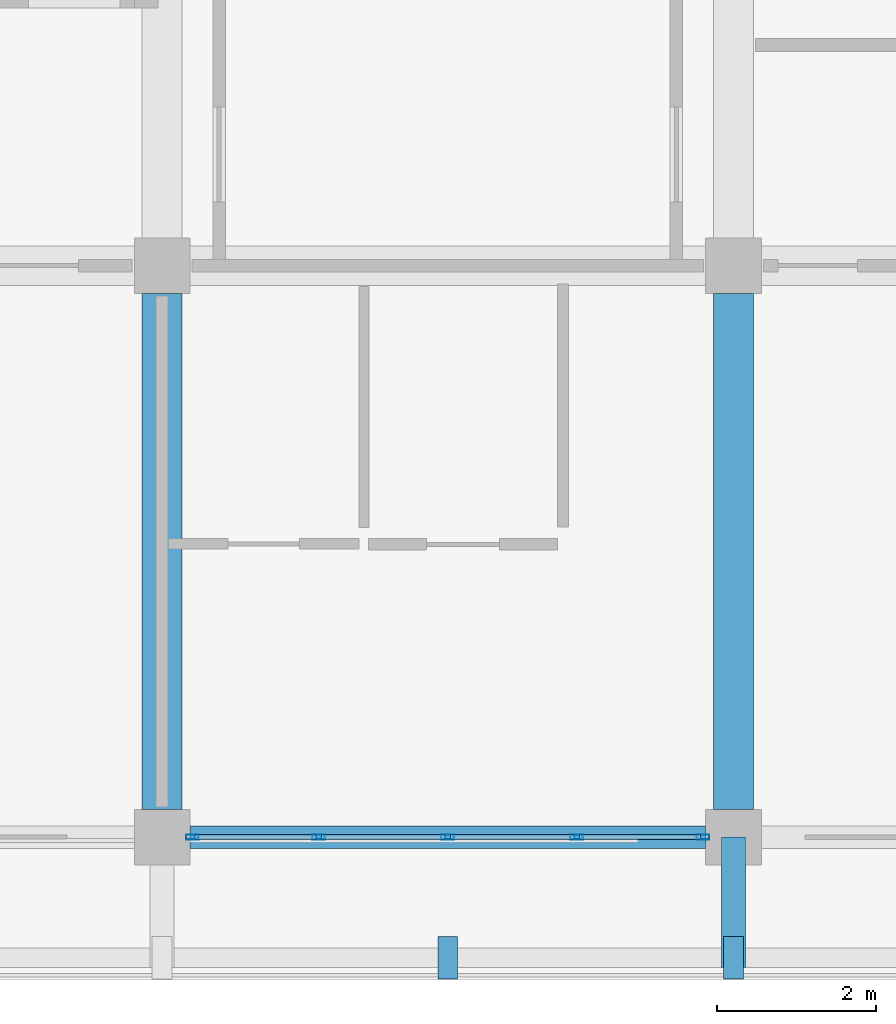
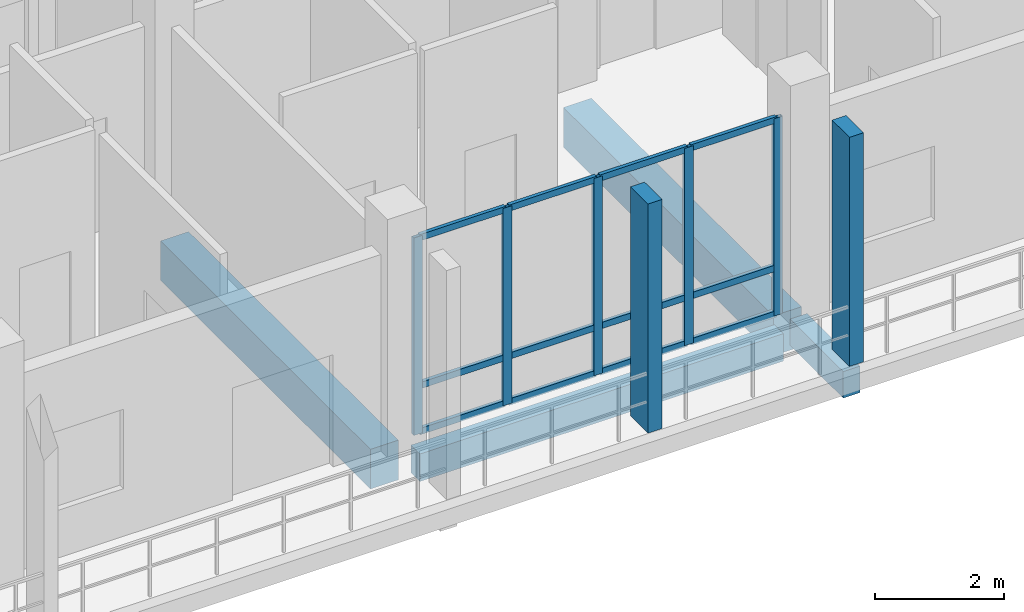
# One storey, part 17 of 110: 19 members, 4 beams, 1 element without a shape of its own.
"""IFC4 building model written with IfcOpenShell, lengths in metres."""

from ifc_helpers import new_model, si_unit, direction, frame, origin, origin_2d, place, context, subcontext, project, spatial, rectangle, hollow_rectangle, extrude, material, material_profile, profile_set, type_object, element, aggregate, save


model = new_model("IFC4")

# Units and contexts
model_context = context("Model", 3, precision=1e-05, world=origin(), true_north=direction((0.0, 1.0)))
body_context = subcontext(model_context, "Body", "Model", "MODEL_VIEW")
ifc_project = project(units=[si_unit("LENGTHUNIT", "METRE"), si_unit("AREAUNIT", "SQUARE_METRE"), si_unit("VOLUMEUNIT", "CUBIC_METRE"), si_unit("PLANEANGLEUNIT", "RADIAN"), si_unit("MASSUNIT", "GRAM", prefix="KILO")], contexts=[model_context])

# Site, building, storey
site_placement = place(None, origin())
site = spatial("IfcSite", under=ifc_project, at=site_placement, CompositionType="ELEMENT")
building_placement = place(site_placement, origin())
building = spatial("IfcBuilding", under=site, at=building_placement, Name="Suanplinth Sawtooth Commons", CompositionType="ELEMENT")
storey_placement = place(building_placement, frame((0.0, 0.0, 4.5)))
storey = spatial("IfcBuildingStorey", under=building, at=storey_placement, Name="L01", CompositionType="ELEMENT", Elevation=4.5)

# Beams
ifc_material_1 = material(Name="Concrete C40/50", Category="concrete")
ifc_material_profile_1 = material_profile(ifc_material_1, rectangle(XDim=0.5, YDim=0.75, at=origin_2d()), Name="RC-GDR 500x750")
ifc_profile_set_1 = profile_set([ifc_material_profile_1], Name="Concrete C40/50")
beam_type_1 = type_object("IfcBeamType", Name="B-03", PredefinedType="USERDEFINED", material=ifc_profile_set_1)
for number, where, z_axis, x_axis, name in (
    (1, (36.0, 0.35009765625, -0.675048828125), (0.0, 1.0, 0.0), (-1.0, 0.0, 0.0), "BMY-L01-D-5-0"),
    (2, (43.199951171875, 0.35009765625, -0.675048828125), (0.0, 1.0, 0.0), (-1.0, 0.0, 0.0), "BMY-L01-D-6-0"),
):
    element("IfcBeam", number, at=place(storey_placement, frame(where, z_axis=z_axis, x_axis=x_axis)), inside=storey, type_object=beam_type_1, Name=name, ObjectType="GIRDER", PredefinedType="USERDEFINED", context=body_context, shape_type="SweptSolid", body=[
        extrude(rectangle(XDim=0.5, YDim=0.75, at=origin_2d()), origin(), (0.0, 0.0, 1.0), 6.5),
    ])
ifc_material_2 = material(Name="Precast concrete C40/50", Category="concrete")
ifc_material_profile_2 = material_profile(ifc_material_2, rectangle(XDim=0.300048828125, YDim=0.5, at=origin_2d()), Name="PC-BM 300x500")
ifc_profile_set_2 = profile_set([ifc_material_profile_2], Name="Precast concrete C40/50")
beam_type_2 = type_object("IfcBeamType", Name="B-07", PredefinedType="BEAM", material=ifc_profile_set_2)
beam_1_placement = place(storey_placement, frame((43.199951171875, 0.0, -0.429931640625), z_axis=(0.0, -1.0, 0.0), x_axis=(1.0, 0.0, 0.0)))
element("IfcBeam", 3, at=beam_1_placement, inside=storey, type_object=beam_type_2, Name="Balcony Outrigger L01-D-S-6", PredefinedType="BEAM", context=body_context, shape_type="SweptSolid", body=[
    extrude(rectangle(XDim=0.300048828125, YDim=0.5, at=origin_2d()), origin(), (0.0, 0.0, 1.0), 1.639892578125),
])
ifc_material_profile_3 = material_profile(ifc_material_2, rectangle(XDim=0.280029296875, YDim=0.52001953125, at=origin_2d()), Name="PC-SP 280x520")
ifc_profile_set_3 = profile_set([ifc_material_profile_3], Name="Precast concrete C40/50")
beam_type_3 = type_object("IfcBeamType", Name="B-08", PredefinedType="SPANDREL", material=ifc_profile_set_3)
beam_2_placement = place(storey_placement, frame((36.35009765625, 0.0, -0.56005859375), z_axis=(1.0, 0.0, 0.0), x_axis=(0.0, 1.0, 0.0)))
element("IfcBeam", 4, at=beam_2_placement, inside=storey, type_object=beam_type_3, Name="BMX-L01-D-5-0", PredefinedType="SPANDREL", context=body_context, shape_type="SweptSolid", body=[
    extrude(rectangle(XDim=0.280029296875, YDim=0.52001953125, at=origin_2d()), origin(), (0.0, 0.0, 1.0), 6.5),
])

# Members
ifc_material_3 = material(Name="Pigmented precast concrete C40/50", Category="concrete")
ifc_material_profile_4 = material_profile(ifc_material_3, rectangle(XDim=0.25, YDim=0.5400390625, at=origin_2d()), Name="PC-FIN 250x540")
ifc_profile_set_4 = profile_set([ifc_material_profile_4], Name="Pigmented precast concrete C40/50")
member_type_1 = type_object("IfcMemberType", Name="M-11", PredefinedType="USERDEFINED", material=ifc_profile_set_4)
for number, where, z_axis, x_axis, name in (
    (5, (39.60009765625, -1.52001953125, 0.0), (0.0, 0.0, 1.0), (1.0, 0.0, 0.0), "Upright Solar Blade L01-D-S-06"),
    (6, (43.199951171875, -1.52001953125, 0.0), (0.0, 0.0, 1.0), (1.0, 0.0, 0.0), "Upright Solar Blade L01-D-S-07"),
):
    element("IfcMember", number, at=place(storey_placement, frame(where, z_axis=z_axis, x_axis=x_axis)), inside=storey, type_object=member_type_1, Name=name, ObjectType="SHADING FIN", PredefinedType="USERDEFINED", context=body_context, shape_type="SweptSolid", body=[
        extrude(rectangle(XDim=0.25, YDim=0.5400390625, at=origin_2d()), origin(), (0.0, 0.0, 1.0), 4.330078125),
    ])

# Curtain wall, members
ifc_material_4 = material(Name="Anodized aluminium and low-E glazing", Category="aluminium")
curtain_wall_type = type_object("IfcCurtainWallType", Name="CW-06", PredefinedType="USERDEFINED", material=ifc_material_4)
curtain_wall_placement = place(storey_placement, origin())
curtain_wall = element("IfcCurtainWall", 7, at=curtain_wall_placement, inside=storey, type_object=curtain_wall_type, Name="Curtain Wall CW-L01-D-LOUNGE-5", ObjectType="CURTAIN WALL", PredefinedType="USERDEFINED")
ifc_material_5 = material(Name="Anodized aluminium 6063-T6", Category="aluminium")
ifc_material_profile_5 = material_profile(ifc_material_5, hollow_rectangle(XDim=0.06494140625, YDim=0.159912109375, WallThickness=0.00390625, at=origin_2d()), Name="ALU-MUL 65x160")
ifc_profile_set_5 = profile_set([ifc_material_profile_5], Name="Anodized aluminium 6063-T6")
member_type_2 = type_object("IfcMemberType", Name="M-13", PredefinedType="MULLION", material=ifc_profile_set_5)
member_1_placement = place(storey_placement, frame((36.382568359375, 0.0, 0.0), z_axis=(0.0, 0.0, 1.0), x_axis=(0.0, 1.0, 0.0)))
member_1 = element("IfcMember", 8, at=member_1_placement, type_object=member_type_2, Name="CW-06 mullion 1", PredefinedType="MULLION", context=body_context, shape_type="SweptSolid", body=[
    extrude(hollow_rectangle(XDim=0.06494140625, YDim=0.159912109375, WallThickness=0.00390625, at=origin_2d()), origin(), (0.0, 0.0, 1.0), 3.72998046875),
])
member_2_placement = place(storey_placement, frame((37.97509765625, 0.0, 0.0), z_axis=(0.0, 0.0, 1.0), x_axis=(0.0, 1.0, 0.0)))
member_2 = element("IfcMember", 9, at=member_2_placement, type_object=member_type_2, Name="CW-06 mullion 2", PredefinedType="MULLION", context=body_context, shape_type="SweptSolid", body=[
    extrude(hollow_rectangle(XDim=0.06494140625, YDim=0.159912109375, WallThickness=0.00390625, at=origin_2d()), origin(), (0.0, 0.0, 1.0), 3.72998046875),
])
member_3_placement = place(storey_placement, frame((39.60009765625, 0.0, 0.0), z_axis=(0.0, 0.0, 1.0), x_axis=(0.0, 1.0, 0.0)))
member_3 = element("IfcMember", 10, at=member_3_placement, type_object=member_type_2, Name="CW-06 mullion 3", PredefinedType="MULLION", context=body_context, shape_type="SweptSolid", body=[
    extrude(hollow_rectangle(XDim=0.06494140625, YDim=0.159912109375, WallThickness=0.00390625, at=origin_2d()), origin(), (0.0, 0.0, 1.0), 3.72998046875),
])
member_4_placement = place(storey_placement, frame((41.22509765625, 0.0, 0.0), z_axis=(0.0, 0.0, 1.0), x_axis=(0.0, 1.0, 0.0)))
member_4 = element("IfcMember", 11, at=member_4_placement, type_object=member_type_2, Name="CW-06 mullion 4", PredefinedType="MULLION", context=body_context, shape_type="SweptSolid", body=[
    extrude(hollow_rectangle(XDim=0.06494140625, YDim=0.159912109375, WallThickness=0.00390625, at=origin_2d()), origin(), (0.0, 0.0, 1.0), 3.72998046875),
])
member_5_placement = place(storey_placement, frame((42.8173828125, 0.0, 0.0), z_axis=(0.0, 0.0, 1.0), x_axis=(0.0, 1.0, 0.0)))
member_5 = element("IfcMember", 12, at=member_5_placement, type_object=member_type_2, Name="CW-06 mullion 5", PredefinedType="MULLION", context=body_context, shape_type="SweptSolid", body=[
    extrude(hollow_rectangle(XDim=0.06494140625, YDim=0.159912109375, WallThickness=0.00390625, at=origin_2d()), origin(), (0.0, 0.0, 1.0), 3.72998046875),
])
ifc_material_profile_6 = material_profile(ifc_material_5, hollow_rectangle(XDim=0.06494140625, YDim=0.1201171875, WallThickness=0.00390625, at=origin_2d()), Name="ALU-TRN 65x120")
ifc_profile_set_6 = profile_set([ifc_material_profile_6], Name="Anodized aluminium 6063-T6")
member_type_3 = type_object("IfcMemberType", Name="M-15", PredefinedType="USERDEFINED", material=ifc_profile_set_6)
member_6_placement = place(storey_placement, frame((36.4150390625, 0.0, 0.032470703125), z_axis=(1.0, 0.0, 0.0), x_axis=(0.0, 1.0, 0.0)))
member_6 = element("IfcMember", 13, at=member_6_placement, type_object=member_type_3, Name="CW-06 transom 1.1", ObjectType="TRANSOM", PredefinedType="USERDEFINED", context=body_context, shape_type="SweptSolid", body=[
    extrude(hollow_rectangle(XDim=0.06494140625, YDim=0.1201171875, WallThickness=0.00390625, at=origin_2d()), origin(), (0.0, 0.0, 1.0), 1.52734375),
])
member_7_placement = place(storey_placement, frame((36.4150390625, 0.0, 0.89990234375), z_axis=(1.0, 0.0, 0.0), x_axis=(0.0, 1.0, 0.0)))
member_7 = element("IfcMember", 14, at=member_7_placement, type_object=member_type_3, Name="CW-06 transom 1.2", ObjectType="TRANSOM", PredefinedType="USERDEFINED", context=body_context, shape_type="SweptSolid", body=[
    extrude(hollow_rectangle(XDim=0.06494140625, YDim=0.1201171875, WallThickness=0.00390625, at=origin_2d()), origin(), (0.0, 0.0, 1.0), 1.52734375),
])
member_8_placement = place(storey_placement, frame((36.4150390625, 0.0, 3.697509765625), z_axis=(1.0, 0.0, 0.0), x_axis=(0.0, 1.0, 0.0)))
member_8 = element("IfcMember", 15, at=member_8_placement, type_object=member_type_3, Name="CW-06 transom 1.3", ObjectType="TRANSOM", PredefinedType="USERDEFINED", context=body_context, shape_type="SweptSolid", body=[
    extrude(hollow_rectangle(XDim=0.06494140625, YDim=0.1201171875, WallThickness=0.00390625, at=origin_2d()), origin(), (0.0, 0.0, 1.0), 1.52734375),
])
member_9_placement = place(storey_placement, frame((38.007568359375, 0.0, 0.032470703125), z_axis=(1.0, 0.0, 0.0), x_axis=(0.0, 1.0, 0.0)))
member_9 = element("IfcMember", 16, at=member_9_placement, type_object=member_type_3, Name="CW-06 transom 2.1", ObjectType="TRANSOM", PredefinedType="USERDEFINED", context=body_context, shape_type="SweptSolid", body=[
    extrude(hollow_rectangle(XDim=0.06494140625, YDim=0.1201171875, WallThickness=0.00390625, at=origin_2d()), origin(), (0.0, 0.0, 1.0), 1.559814453125),
])
member_10_placement = place(storey_placement, frame((38.007568359375, 0.0, 0.89990234375), z_axis=(1.0, 0.0, 0.0), x_axis=(0.0, 1.0, 0.0)))
member_10 = element("IfcMember", 17, at=member_10_placement, type_object=member_type_3, Name="CW-06 transom 2.2", ObjectType="TRANSOM", PredefinedType="USERDEFINED", context=body_context, shape_type="SweptSolid", body=[
    extrude(hollow_rectangle(XDim=0.06494140625, YDim=0.1201171875, WallThickness=0.00390625, at=origin_2d()), origin(), (0.0, 0.0, 1.0), 1.559814453125),
])
member_11_placement = place(storey_placement, frame((38.007568359375, 0.0, 3.697509765625), z_axis=(1.0, 0.0, 0.0), x_axis=(0.0, 1.0, 0.0)))
member_11 = element("IfcMember", 18, at=member_11_placement, type_object=member_type_3, Name="CW-06 transom 2.3", ObjectType="TRANSOM", PredefinedType="USERDEFINED", context=body_context, shape_type="SweptSolid", body=[
    extrude(hollow_rectangle(XDim=0.06494140625, YDim=0.1201171875, WallThickness=0.00390625, at=origin_2d()), origin(), (0.0, 0.0, 1.0), 1.559814453125),
])
member_12_placement = place(storey_placement, frame((39.632568359375, 0.0, 0.032470703125), z_axis=(1.0, 0.0, 0.0), x_axis=(0.0, 1.0, 0.0)))
member_12 = element("IfcMember", 19, at=member_12_placement, type_object=member_type_3, Name="CW-06 transom 3.1", ObjectType="TRANSOM", PredefinedType="USERDEFINED", context=body_context, shape_type="SweptSolid", body=[
    extrude(hollow_rectangle(XDim=0.06494140625, YDim=0.1201171875, WallThickness=0.00390625, at=origin_2d()), origin(), (0.0, 0.0, 1.0), 1.559814453125),
])
member_13_placement = place(storey_placement, frame((39.632568359375, 0.0, 0.89990234375), z_axis=(1.0, 0.0, 0.0), x_axis=(0.0, 1.0, 0.0)))
member_13 = element("IfcMember", 20, at=member_13_placement, type_object=member_type_3, Name="CW-06 transom 3.2", ObjectType="TRANSOM", PredefinedType="USERDEFINED", context=body_context, shape_type="SweptSolid", body=[
    extrude(hollow_rectangle(XDim=0.06494140625, YDim=0.1201171875, WallThickness=0.00390625, at=origin_2d()), origin(), (0.0, 0.0, 1.0), 1.559814453125),
])
member_14_placement = place(storey_placement, frame((39.632568359375, 0.0, 3.697509765625), z_axis=(1.0, 0.0, 0.0), x_axis=(0.0, 1.0, 0.0)))
member_14 = element("IfcMember", 21, at=member_14_placement, type_object=member_type_3, Name="CW-06 transom 3.3", ObjectType="TRANSOM", PredefinedType="USERDEFINED", context=body_context, shape_type="SweptSolid", body=[
    extrude(hollow_rectangle(XDim=0.06494140625, YDim=0.1201171875, WallThickness=0.00390625, at=origin_2d()), origin(), (0.0, 0.0, 1.0), 1.559814453125),
])
member_15_placement = place(storey_placement, frame((41.257568359375, 0.0, 0.032470703125), z_axis=(1.0, 0.0, 0.0), x_axis=(0.0, 1.0, 0.0)))
member_15 = element("IfcMember", 22, at=member_15_placement, type_object=member_type_3, Name="CW-06 transom 4.1", ObjectType="TRANSOM", PredefinedType="USERDEFINED", context=body_context, shape_type="SweptSolid", body=[
    extrude(hollow_rectangle(XDim=0.06494140625, YDim=0.1201171875, WallThickness=0.00390625, at=origin_2d()), origin(), (0.0, 0.0, 1.0), 1.52734375),
])
member_16_placement = place(storey_placement, frame((41.257568359375, 0.0, 0.89990234375), z_axis=(1.0, 0.0, 0.0), x_axis=(0.0, 1.0, 0.0)))
member_16 = element("IfcMember", 23, at=member_16_placement, type_object=member_type_3, Name="CW-06 transom 4.2", ObjectType="TRANSOM", PredefinedType="USERDEFINED", context=body_context, shape_type="SweptSolid", body=[
    extrude(hollow_rectangle(XDim=0.06494140625, YDim=0.1201171875, WallThickness=0.00390625, at=origin_2d()), origin(), (0.0, 0.0, 1.0), 1.52734375),
])
member_17_placement = place(storey_placement, frame((41.257568359375, 0.0, 3.697509765625), z_axis=(1.0, 0.0, 0.0), x_axis=(0.0, 1.0, 0.0)))
member_17 = element("IfcMember", 24, at=member_17_placement, type_object=member_type_3, Name="CW-06 transom 4.3", ObjectType="TRANSOM", PredefinedType="USERDEFINED", context=body_context, shape_type="SweptSolid", body=[
    extrude(hollow_rectangle(XDim=0.06494140625, YDim=0.1201171875, WallThickness=0.00390625, at=origin_2d()), origin(), (0.0, 0.0, 1.0), 1.52734375),
])
aggregate(curtain_wall, [member_1, member_2, member_3, member_4, member_5, member_6, member_7, member_8, member_9, member_10, member_11, member_12, member_13, member_14, member_15, member_16, member_17])

save(model, "model.ifc")
